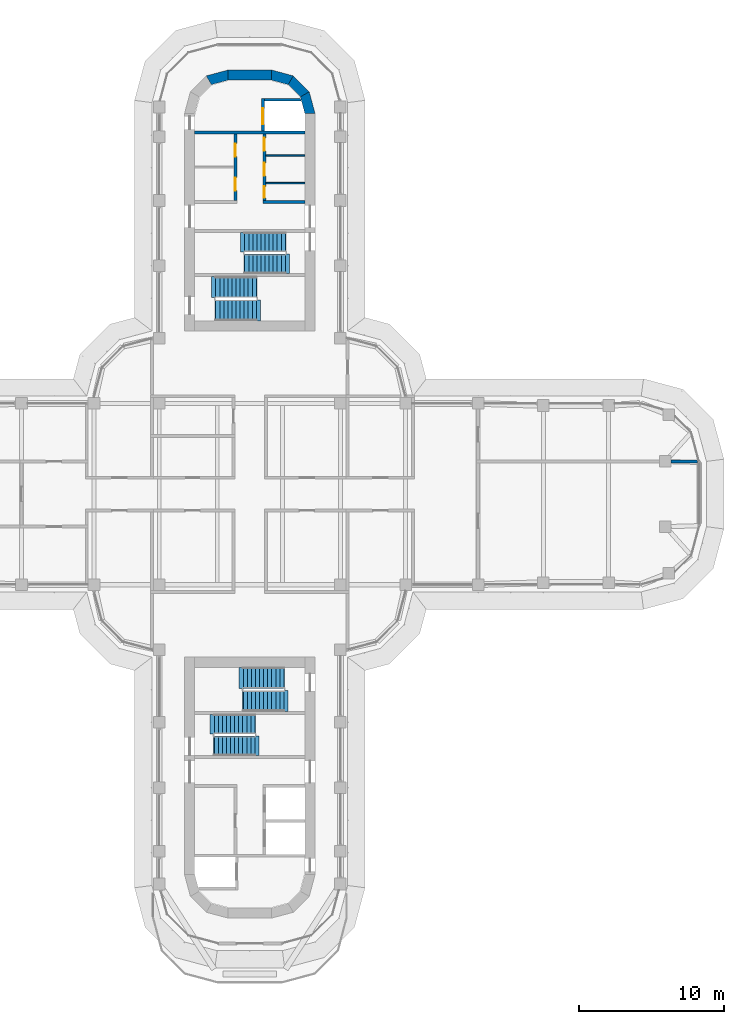
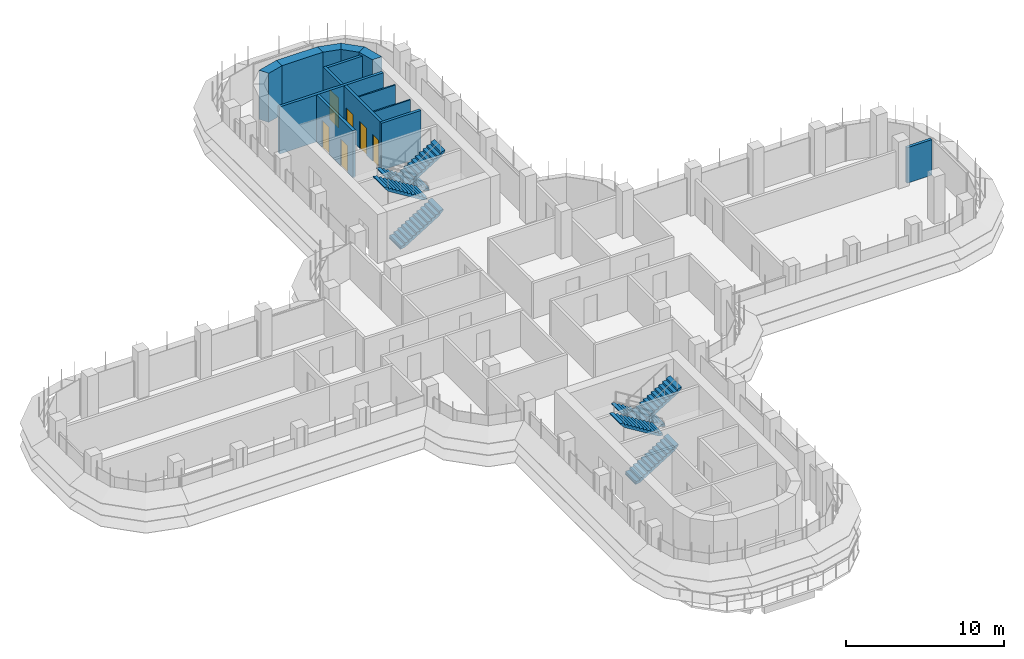
# One storey, part 16 of 20: 14 walls, 8 stair flights, 6 doors, 6 openings, 4 elements without a shape of their own.
"""IFC4 building model written with IfcOpenShell, lengths in metres."""

from ifc_helpers import new_model, si_unit, direction, frame, frame_2d, origin, place, context, subcontext, project, spatial, polyline, rectangle, outline, extrude, material, layer, layer_set, type_object, element, fill, aggregate, save


model = new_model("IFC4")

# Units and contexts
model_context = context("Model", 3, precision=1e-05, world=origin(), true_north=direction((0.0, 1.0)))
body_context = subcontext(model_context, "Body", "Model", "MODEL_VIEW")
ifc_project = project(units=[si_unit("LENGTHUNIT", "METRE"), si_unit("AREAUNIT", "SQUARE_METRE"), si_unit("VOLUMEUNIT", "CUBIC_METRE"), si_unit("PLANEANGLEUNIT", "RADIAN"), si_unit("MASSUNIT", "GRAM", prefix="KILO")], contexts=[model_context])

# Site, building, storey
site_placement = place(None, origin())
site = spatial("IfcSite", under=ifc_project, at=site_placement, CompositionType="ELEMENT")
building_placement = place(site_placement, origin())
building = spatial("IfcBuilding", under=site, at=building_placement, Name="Zarbagh Exchange Tower", CompositionType="ELEMENT")
storey_placement = place(building_placement, frame((0.0, 0.0, 156.199951171875)))
storey = spatial("IfcBuildingStorey", under=building, at=storey_placement, Name="L37", CompositionType="ELEMENT", Elevation=156.199951171875)

# Walls
ifc_material_1 = material(Name="Dense blockwork", Category="masonry")
ifc_layer_1 = layer(ifc_material_1, 0.10009765625)
ifc_layer_set_1 = layer_set([ifc_layer_1], Name="Core partition 100 mm blockwork")
wall_type_1 = type_object("IfcWallType", Name="Core partition 100 mm blockwork", PredefinedType="PARTITIONING", material=ifc_layer_set_1)
for number, where, z_axis, x_axis, name in (
    (1, (1.10009765625, 23.35009765625, 0.0), (0.0, 0.0, 1.0), (1.0, 0.0, 0.0), "North core partition wall CUT-E-500"),
    (2, (1.10009765625, 21.449951171875, 0.0), (0.0, 0.0, 1.0), (1.0, 0.0, 0.0), "North core partition wall CUT-E-690"),
):
    element("IfcWall", number, at=place(storey_placement, frame(where, z_axis=z_axis, x_axis=x_axis)), inside=storey, type_object=wall_type_1, Name=name, PredefinedType="PARTITIONING", context=body_context, shape_type="SweptSolid", body=[
        extrude(rectangle(XDim=2.699951171875, YDim=0.10009765625, at=frame_2d((1.35009765625, 0.0))), origin(), (0.0, 0.0, 1.0), 3.650146484375),
    ])
ifc_material_2 = material(Name="Fire-rated plasterboard partition")
ifc_layer_2 = layer(ifc_material_2, 0.199951171875)
ifc_layer_set_2 = layer_set([ifc_layer_2], Name="RATED PARTITION 200")
wall_type_2 = type_object("IfcWallType", Name="RATED PARTITION 200", PredefinedType="PARTITIONING", material=ifc_layer_set_2)
wall_1_placement = place(storey_placement, frame((29.070068359375, 2.25, 0.0), z_axis=(0.0, 0.0, 1.0), x_axis=(1.0, 0.0, 0.0)))
element("IfcWall", 3, at=wall_1_placement, inside=storey, type_object=wall_type_2, Name="Partition W-1638", PredefinedType="PARTITIONING", context=body_context, shape_type="SweptSolid", body=[
    extrude(rectangle(XDim=1.809814453125, YDim=0.199951171875, at=frame_2d((0.90478515625, 0.0))), origin(), (0.0, 0.0, 1.0), 2.75),
])
ifc_material_3 = material(Name="Concrete C50/60", Category="concrete")
ifc_layer_3 = layer(ifc_material_3, 0.699951171875)
ifc_layer_set_3 = layer_set([ifc_layer_3], Name="RC core corner wall 700 C50/60")
wall_type_3 = type_object("IfcWallType", Name="RC core corner wall 700 C50/60", PredefinedType="SHEAR", material=ifc_layer_set_3)
wall_2_placement = place(storey_placement, origin())
element("IfcWall", 4, at=wall_2_placement, inside=storey, type_object=wall_type_3, Name="CW6 core N corner W", PredefinedType="SHEAR", context=body_context, shape_type="SweptSolid", body=[
    extrude(outline(polyline([(-3.0, 28.84814453125), (-1.5, 29.25), (-1.5, 28.550048828125), (-2.64990234375, 28.241943359375), (-3.0, 28.84814453125)])), origin(), (0.0, 0.0, 1.0), 3.800048828125),
])
wall_3_placement = place(storey_placement, origin())
element("IfcWall", 5, at=wall_3_placement, inside=storey, type_object=wall_type_3, Name="CW6 core N corner E", PredefinedType="SHEAR", context=body_context, shape_type="SweptSolid", body=[
    extrude(outline(polyline([(4.5, 26.25), (4.09814453125, 27.75), (3.491943359375, 27.39990234375), (3.800048828125, 26.25), (4.5, 26.25)])), origin(), (0.0, 0.0, 1.0), 3.800048828125),
])
wall_4_placement = place(storey_placement, origin())
element("IfcWall", 6, at=wall_4_placement, inside=storey, type_object=wall_type_3, Name="CW6 core N corner E", PredefinedType="SHEAR", context=body_context, shape_type="SweptSolid", body=[
    extrude(outline(polyline([(4.09814453125, 27.75), (3.0, 28.84814453125), (2.64990234375, 28.241943359375), (3.491943359375, 27.39990234375), (4.09814453125, 27.75)])), origin(), (0.0, 0.0, 1.0), 3.800048828125),
])
wall_5_placement = place(storey_placement, origin())
element("IfcWall", 7, at=wall_5_placement, inside=storey, type_object=wall_type_3, Name="CW6 core N corner E", PredefinedType="SHEAR", context=body_context, shape_type="SweptSolid", body=[
    extrude(outline(polyline([(3.0, 28.84814453125), (1.5, 29.25), (1.5, 28.550048828125), (2.64990234375, 28.241943359375), (3.0, 28.84814453125)])), origin(), (0.0, 0.0, 1.0), 3.800048828125),
])
ifc_layer_4 = layer(ifc_material_3, 0.699951171875)
ifc_layer_set_4 = layer_set([ifc_layer_4], Name="RC core wall 700 C50/60")
wall_type_4 = type_object("IfcWallType", Name="RC core wall 700 C50/60", PredefinedType="SHEAR", material=ifc_layer_set_4)
wall_6_placement = place(storey_placement, frame((-1.5, 28.89990234375, 0.0), z_axis=(0.0, 0.0, 1.0), x_axis=(1.0, 0.0, 0.0)))
element("IfcWall", 8, at=wall_6_placement, inside=storey, type_object=wall_type_4, Name="CW5 core N outer end", PredefinedType="SHEAR", context=body_context, shape_type="SweptSolid", body=[
    extrude(rectangle(XDim=3.0, YDim=0.699951171875, at=frame_2d((1.5, 0.0))), origin(), (0.0, 0.0, 1.0), 3.800048828125),
])

# Wall, openings, doors
ifc_layer_5 = layer(ifc_material_1, 0.199951171875)
ifc_layer_set_5 = layer_set([ifc_layer_5], Name="Shaft wall 200 mm blockwork")
wall_type_5 = type_object("IfcWallType", Name="Shaft wall 200 mm blockwork", PredefinedType="PARTITIONING", material=ifc_layer_set_5)
wall_7_placement = place(storey_placement, frame((-1.0, 24.85009765625, 0.0), z_axis=(0.0, 0.0, 1.0), x_axis=(0.0, -1.0, 0.0)))
wall_7 = element("IfcWall", 9, at=wall_7_placement, inside=storey, type_object=wall_type_5, Name="North core shaft wall LW-W", PredefinedType="PARTITIONING", context=body_context, shape_type="SweptSolid", body=[
    extrude(rectangle(XDim=4.60009765625, YDim=0.199951171875, at=frame_2d((2.300048828125, 0.0))), origin(), (0.0, 0.0, 1.0), 3.650146484375),
])
opening_1_placement = place(wall_7_placement, frame((0.675048828125, 0.0, 0.0)))
opening_1 = element("IfcOpeningElement", 10, at=opening_1_placement, cuts=wall_7, Name="Opening CD3-900", PredefinedType="OPENING", context=body_context, shape_type="SweptSolid", body=[
    extrude(rectangle(XDim=0.89990234375, YDim=2.10009765625, at=frame_2d((0.449951171875, 1.050048828125))), frame((0.0, 0.10986328125, 0.0), z_axis=(0.0, -1.0, 0.0), x_axis=(1.0, 0.0, 0.0)), (0.0, 0.0, 1.0), 0.219970703125),
])
opening_2_placement = place(wall_7_placement, frame((3.02490234375, 0.0, 0.0)))
opening_2 = element("IfcOpeningElement", 11, at=opening_2_placement, cuts=wall_7, Name="Opening CD3-900", PredefinedType="OPENING", context=body_context, shape_type="SweptSolid", body=[
    extrude(rectangle(XDim=0.89990234375, YDim=2.10009765625, at=frame_2d((0.449951171875, 1.050048828125))), frame((0.0, 0.10986328125, 0.0), z_axis=(0.0, -1.0, 0.0), x_axis=(1.0, 0.0, 0.0)), (0.0, 0.0, 1.0), 0.219970703125),
])
ifc_material_4 = material(Name="Steel", Category="steel")
door_type_1 = type_object("IfcDoorType", Name="Core room door 900 x 2100", OperationType="NOTDEFINED", PredefinedType="DOOR", material=ifc_material_4)
door_1_placement = place(opening_1_placement, origin())
door_1 = element("IfcDoor", 12, at=door_1_placement, inside=storey, type_object=door_type_1, Name="North core Staff WC door RD-W-0", OperationType="SINGLE_SWING_RIGHT", OverallHeight=2.10009765625, OverallWidth=0.89990234375, PredefinedType="DOOR", context=body_context, shape_type="SweptSolid", body=[
    extrude(rectangle(XDim=0.89990234375, YDim=2.10009765625, at=frame_2d((0.449951171875, 1.050048828125))), frame((0.0, 0.02490234375, 0.0), z_axis=(0.0, -1.0, 0.0), x_axis=(1.0, 0.0, 0.0)), (0.0, 0.0, 1.0), 0.050048828125),
])
fill(opening_1, door_1)
door_2_placement = place(opening_2_placement, origin())
door_2 = element("IfcDoor", 13, at=door_2_placement, inside=storey, type_object=door_type_1, Name="North core Accessible WC door RD-W-1", OperationType="SINGLE_SWING_RIGHT", OverallHeight=2.10009765625, OverallWidth=0.89990234375, PredefinedType="DOOR", context=body_context, shape_type="SweptSolid", body=[
    extrude(rectangle(XDim=0.89990234375, YDim=2.10009765625, at=frame_2d((0.449951171875, 1.050048828125))), frame((0.0, 0.02490234375, 0.0), z_axis=(0.0, -1.0, 0.0), x_axis=(1.0, 0.0, 0.0)), (0.0, 0.0, 1.0), 0.050048828125),
])
fill(opening_2, door_2)

# Wall
wall_8_placement = place(storey_placement, frame((0.89990234375, 20.14990234375, 0.0), z_axis=(0.0, 0.0, 1.0), x_axis=(1.0, 0.0, 0.0)))
element("IfcWall", 14, at=wall_8_placement, inside=storey, type_object=wall_type_5, Name="North core shaft wall AB-E", PredefinedType="PARTITIONING", context=body_context, shape_type="SweptSolid", body=[
    extrude(rectangle(XDim=2.900146484375, YDim=0.199951171875, at=frame_2d((1.4501953125, 0.0))), origin(), (0.0, 0.0, 1.0), 3.650146484375),
])

# Wall, openings, doors
wall_9_placement = place(storey_placement, frame((1.0, 24.85009765625, 0.0), z_axis=(0.0, 0.0, 1.0), x_axis=(0.0, -1.0, 0.0)))
wall_9 = element("IfcWall", 15, at=wall_9_placement, inside=storey, type_object=wall_type_5, Name="North core shaft wall LW-E", PredefinedType="PARTITIONING", context=body_context, shape_type="SweptSolid", body=[
    extrude(rectangle(XDim=4.60009765625, YDim=0.199951171875, at=frame_2d((2.300048828125, 0.0))), origin(), (0.0, 0.0, 1.0), 3.650146484375),
])
opening_3_placement = place(wall_9_placement, frame((0.27490234375, 0.0, 0.0)))
opening_3 = element("IfcOpeningElement", 16, at=opening_3_placement, cuts=wall_9, Name="Opening CD3-900", PredefinedType="OPENING", context=body_context, shape_type="SweptSolid", body=[
    extrude(rectangle(XDim=0.89990234375, YDim=2.10009765625, at=frame_2d((0.449951171875, 1.050048828125))), frame((0.0, 0.10986328125, 0.0), z_axis=(0.0, -1.0, 0.0), x_axis=(1.0, 0.0, 0.0)), (0.0, 0.0, 1.0), 0.219970703125),
])
opening_4_placement = place(wall_9_placement, frame((2.0, 0.0, 0.0)))
opening_4 = element("IfcOpeningElement", 17, at=opening_4_placement, cuts=wall_9, Name="Opening CD3-900", PredefinedType="OPENING", context=body_context, shape_type="SweptSolid", body=[
    extrude(rectangle(XDim=0.89990234375, YDim=2.10009765625, at=frame_2d((0.449951171875, 1.050048828125))), frame((0.0, 0.10986328125, 0.0), z_axis=(0.0, -1.0, 0.0), x_axis=(1.0, 0.0, 0.0)), (0.0, 0.0, 1.0), 0.219970703125),
])
opening_5_placement = place(wall_9_placement, frame((3.625, 0.0, 0.0)))
opening_5 = element("IfcOpeningElement", 18, at=opening_5_placement, cuts=wall_9, Name="Opening CD3-800", PredefinedType="OPENING", context=body_context, shape_type="SweptSolid", body=[
    extrude(rectangle(XDim=0.800048828125, YDim=2.10009765625, at=frame_2d((0.39990234375, 1.050048828125))), frame((0.0, 0.10986328125, 0.0), z_axis=(0.0, -1.0, 0.0), x_axis=(1.0, 0.0, 0.0)), (0.0, 0.0, 1.0), 0.219970703125),
])
door_type_2 = type_object("IfcDoorType", Name="Core room door 800 x 2100", OperationType="NOTDEFINED", PredefinedType="DOOR", material=ifc_material_4)
door_3_placement = place(opening_5_placement, origin())
door_3 = element("IfcDoor", 19, at=door_3_placement, inside=storey, type_object=door_type_2, Name="North core IT room door RD-E-2", OperationType="SINGLE_SWING_LEFT", OverallHeight=2.10009765625, OverallWidth=0.800048828125, PredefinedType="DOOR", context=body_context, shape_type="SweptSolid", body=[
    extrude(rectangle(XDim=0.800048828125, YDim=2.10009765625, at=frame_2d((0.39990234375, 1.050048828125))), frame((0.0, 0.02490234375, 0.0), z_axis=(0.0, -1.0, 0.0), x_axis=(1.0, 0.0, 0.0)), (0.0, 0.0, 1.0), 0.050048828125),
])
fill(opening_5, door_3)
door_4_placement = place(opening_3_placement, origin())
door_4 = element("IfcDoor", 20, at=door_4_placement, inside=storey, type_object=door_type_1, Name="North core Cleaner's store door RD-E-0", OperationType="SINGLE_SWING_RIGHT", OverallHeight=2.10009765625, OverallWidth=0.89990234375, PredefinedType="DOOR", context=body_context, shape_type="SweptSolid", body=[
    extrude(rectangle(XDim=0.89990234375, YDim=2.10009765625, at=frame_2d((0.449951171875, 1.050048828125))), frame((0.0, 0.02490234375, 0.0), z_axis=(0.0, -1.0, 0.0), x_axis=(1.0, 0.0, 0.0)), (0.0, 0.0, 1.0), 0.050048828125),
])
fill(opening_3, door_4)
door_5_placement = place(opening_4_placement, origin())
door_5 = element("IfcDoor", 21, at=door_5_placement, inside=storey, type_object=door_type_1, Name="North core Pantry door RD-E-1", OperationType="SINGLE_SWING_RIGHT", OverallHeight=2.10009765625, OverallWidth=0.89990234375, PredefinedType="DOOR", context=body_context, shape_type="SweptSolid", body=[
    extrude(rectangle(XDim=0.89990234375, YDim=2.10009765625, at=frame_2d((0.449951171875, 1.050048828125))), frame((0.0, 0.02490234375, 0.0), z_axis=(0.0, -1.0, 0.0), x_axis=(1.0, 0.0, 0.0)), (0.0, 0.0, 1.0), 0.050048828125),
])
fill(opening_4, door_5)

# Wall
ifc_material_5 = material(Name="Concrete C40/50", Category="concrete")
ifc_layer_6 = layer(ifc_material_5, 0.199951171875)
ifc_layer_set_6 = layer_set([ifc_layer_6], Name="Stair enclosure wall 200 mm RC C40/50")
wall_type_6 = type_object("IfcWallType", Name="Stair enclosure wall 200 mm RC C40/50", PredefinedType="SHEAR", material=ifc_layer_set_6)
wall_10_placement = place(storey_placement, frame((-3.800048828125, 24.949951171875, 0.0), z_axis=(0.0, 0.0, 1.0), x_axis=(1.0, 0.0, 0.0)))
element("IfcWall", 22, at=wall_10_placement, inside=storey, type_object=wall_type_6, Name="North core lift shaft wall FFA", PredefinedType="SHEAR", context=body_context, shape_type="SweptSolid", body=[
    extrude(rectangle(XDim=7.60009765625, YDim=0.199951171875, at=frame_2d((3.800048828125, 0.0))), origin(), (0.0, 0.0, 1.0), 3.650146484375),
])

# Wall, opening, door
wall_11_placement = place(storey_placement, frame((0.89990234375, 27.300048828125, 0.0), z_axis=(0.0, 0.0, 1.0), x_axis=(0.0, -1.0, 0.0)))
wall_11 = element("IfcWall", 23, at=wall_11_placement, inside=storey, type_object=wall_type_6, Name="North core lift shaft wall FFL", PredefinedType="SHEAR", context=body_context, shape_type="SweptSolid", body=[
    extrude(rectangle(XDim=2.25, YDim=0.199951171875, at=frame_2d((1.125, 0.0))), origin(), (0.0, 0.0, 1.0), 3.650146484375),
])
opening_6_placement = place(wall_11_placement, frame((0.699951171875, 0.0, 0.0)))
opening_6 = element("IfcOpeningElement", 24, at=opening_6_placement, cuts=wall_11, Name="Opening LD-1100", PredefinedType="OPENING", context=body_context, shape_type="SweptSolid", body=[
    extrude(rectangle(XDim=1.10009765625, YDim=2.300048828125, at=frame_2d((0.550048828125, 1.14990234375))), frame((0.0, 0.10986328125, 0.0), z_axis=(0.0, -1.0, 0.0), x_axis=(1.0, 0.0, 0.0)), (0.0, 0.0, 1.0), 0.219970703125),
])
ifc_material_6 = material(Name="Stainless steel", Category="steel")
door_type_3 = type_object("IfcDoorType", Name="Lift landing door 1100 x 2300", OperationType="NOTDEFINED", PredefinedType="DOOR", material=ifc_material_6)
door_6_placement = place(opening_6_placement, origin())
door_6 = element("IfcDoor", 25, at=door_6_placement, inside=storey, type_object=door_type_3, Name="North core lift landing door LD-F", OperationType="DOUBLE_DOOR_SLIDING", OverallHeight=2.300048828125, OverallWidth=1.10009765625, PredefinedType="DOOR", context=body_context, shape_type="SweptSolid", body=[
    extrude(rectangle(XDim=1.10009765625, YDim=2.300048828125, at=frame_2d((0.550048828125, 1.14990234375))), frame((0.0, 0.02490234375, 0.0), z_axis=(0.0, -1.0, 0.0), x_axis=(1.0, 0.0, 0.0)), (0.0, 0.0, 1.0), 0.050048828125),
])
fill(opening_6, door_6)

# Wall
wall_12_placement = place(storey_placement, origin())
element("IfcWall", 26, at=wall_12_placement, inside=storey, type_object=wall_type_6, Name="North core lift shaft wall FFX", PredefinedType="SHEAR", context=body_context, shape_type="SweptSolid", body=[
    extrude(outline(polyline([(1.0, 27.10009765625), (3.547607421875, 27.10009765625), (3.493896484375, 27.300048828125), (1.0, 27.300048828125), (1.0, 27.10009765625)])), origin(), (0.0, 0.0, 1.0), 3.650146484375),
])

# Stair, stair flights
stair_type = type_object("IfcStairType", Name="Exit stair two-flight half-turn", PredefinedType="HALF_TURN_STAIR", material=ifc_material_5)
stair_1_placement = place(storey_placement, origin())
stair_1 = element("IfcStair", 27, at=stair_1_placement, inside=storey, type_object=stair_type, Name="exit stair ST1", PredefinedType="HALF_TURN_STAIR")
stair_flight_type_1 = type_object("IfcStairFlightType", Name="Stair flight 1350 mm", PredefinedType="STRAIGHT", material=ifc_material_5)
stair_flight_1_placement = place(storey_placement, frame((2.449951171875, 17.375, 0.0), z_axis=(0.0, 0.0, 1.0), x_axis=(-1.0, 0.0, 0.0)))
stair_flight_1 = element("IfcStairFlight", 28, at=stair_flight_1_placement, type_object=stair_flight_type_1, Name="ST1 flight 1", NumberOfRisers=11, NumberOfTreads=10, PredefinedType="STRAIGHT", RiserHeight=0.172727273, TreadLength=0.28, context=body_context, shape_type="SweptSolid", body=[
    extrude(outline(polyline([(-0.050048828125, -0.050048828125), (-0.050048828125, 0.0), (0.0, 0.0), (0.0, 0.172607421875), (0.280029296875, 0.172607421875), (0.280029296875, 0.345458984375), (0.56005859375, 0.345458984375), (0.56005859375, 0.51806640625), (0.840087890625, 0.51806640625), (0.840087890625, 0.69091796875), (1.1201171875, 0.69091796875), (1.1201171875, 0.863525390625), (1.39990234375, 0.863525390625), (1.39990234375, 1.036376953125), (1.679931640625, 1.036376953125), (1.679931640625, 1.208984375), (1.9599609375, 1.208984375), (1.9599609375, 1.3818359375), (2.239990234375, 1.3818359375), (2.239990234375, 1.554443359375), (2.52001953125, 1.554443359375), (2.52001953125, 1.727294921875), (2.800048828125, 1.727294921875), (2.800048828125, 1.89990234375), (3.10009765625, 1.97998046875), (3.10009765625, 1.89990234375), (2.800048828125, 1.551025390625), (0.285400390625, 0.0), (-0.050048828125, -0.050048828125)])), frame((0.0, 0.675048828125, 0.0), z_axis=(0.0, -1.0, 0.0), x_axis=(1.0, 0.0, 0.0)), (0.0, 0.0, 1.0), 1.35009765625),
])
stair_flight_2_placement = place(storey_placement, frame((-0.35009765625, 15.875, 1.900146484375), z_axis=(0.0, 0.0, 1.0), x_axis=(1.0, 0.0, 0.0)))
stair_flight_2 = element("IfcStairFlight", 29, at=stair_flight_2_placement, type_object=stair_flight_type_1, Name="ST1 flight 2", NumberOfRisers=11, NumberOfTreads=10, PredefinedType="STRAIGHT", RiserHeight=0.172727273, TreadLength=0.28, context=body_context, shape_type="SweptSolid", body=[
    extrude(outline(polyline([(-0.050048828125, -0.050048828125), (-0.050048828125, 0.0), (0.0, 0.0), (0.0, 0.172607421875), (0.280029296875, 0.172607421875), (0.280029296875, 0.345458984375), (0.56005859375, 0.345458984375), (0.56005859375, 0.51806640625), (0.840087890625, 0.51806640625), (0.840087890625, 0.69091796875), (1.1201171875, 0.69091796875), (1.1201171875, 0.863525390625), (1.39990234375, 0.863525390625), (1.39990234375, 1.036376953125), (1.679931640625, 1.036376953125), (1.679931640625, 1.208984375), (1.9599609375, 1.208984375), (1.9599609375, 1.3818359375), (2.239990234375, 1.3818359375), (2.239990234375, 1.554443359375), (2.52001953125, 1.554443359375), (2.52001953125, 1.727294921875), (2.800048828125, 1.727294921875), (2.800048828125, 1.89990234375), (3.10009765625, 1.97998046875), (3.10009765625, 1.89990234375), (2.800048828125, 1.551025390625), (0.285400390625, 0.0), (-0.050048828125, -0.050048828125)])), frame((0.0, 0.675048828125, 0.0), z_axis=(0.0, -1.0, 0.0), x_axis=(1.0, 0.0, 0.0)), (0.0, 0.0, 1.0), 1.35009765625),
])
aggregate(stair_1, [stair_flight_1, stair_flight_2])

stair_2_placement = place(storey_placement, origin())
stair_2 = element("IfcStair", 30, at=stair_2_placement, inside=storey, type_object=stair_type, Name="exit stair ST3", PredefinedType="HALF_TURN_STAIR")
stair_flight_3_placement = place(storey_placement, frame((-2.449951171875, -17.375, 0.0), z_axis=(0.0, 0.0, 1.0), x_axis=(1.0, 0.0, 0.0)))
stair_flight_3 = element("IfcStairFlight", 31, at=stair_flight_3_placement, type_object=stair_flight_type_1, Name="ST3 flight 1", NumberOfRisers=11, NumberOfTreads=10, PredefinedType="STRAIGHT", RiserHeight=0.172727273, TreadLength=0.28, context=body_context, shape_type="SweptSolid", body=[
    extrude(outline(polyline([(-0.050048828125, -0.050048828125), (-0.050048828125, 0.0), (0.0, 0.0), (0.0, 0.172607421875), (0.280029296875, 0.172607421875), (0.280029296875, 0.345458984375), (0.56005859375, 0.345458984375), (0.56005859375, 0.51806640625), (0.840087890625, 0.51806640625), (0.840087890625, 0.69091796875), (1.1201171875, 0.69091796875), (1.1201171875, 0.863525390625), (1.39990234375, 0.863525390625), (1.39990234375, 1.036376953125), (1.679931640625, 1.036376953125), (1.679931640625, 1.208984375), (1.9599609375, 1.208984375), (1.9599609375, 1.3818359375), (2.239990234375, 1.3818359375), (2.239990234375, 1.554443359375), (2.52001953125, 1.554443359375), (2.52001953125, 1.727294921875), (2.800048828125, 1.727294921875), (2.800048828125, 1.89990234375), (3.10009765625, 1.97998046875), (3.10009765625, 1.89990234375), (2.800048828125, 1.551025390625), (0.285400390625, 0.0), (-0.050048828125, -0.050048828125)])), frame((0.0, 0.675048828125, 0.0), z_axis=(0.0, -1.0, 0.0), x_axis=(1.0, 0.0, 0.0)), (0.0, 0.0, 1.0), 1.35009765625),
])
stair_flight_4_placement = place(storey_placement, frame((0.35009765625, -15.875, 1.900146484375), z_axis=(0.0, 0.0, 1.0), x_axis=(-1.0, 0.0, 0.0)))
stair_flight_4 = element("IfcStairFlight", 32, at=stair_flight_4_placement, type_object=stair_flight_type_1, Name="ST3 flight 2", NumberOfRisers=11, NumberOfTreads=10, PredefinedType="STRAIGHT", RiserHeight=0.172727273, TreadLength=0.28, context=body_context, shape_type="SweptSolid", body=[
    extrude(outline(polyline([(-0.050048828125, -0.050048828125), (-0.050048828125, 0.0), (0.0, 0.0), (0.0, 0.172607421875), (0.280029296875, 0.172607421875), (0.280029296875, 0.345458984375), (0.56005859375, 0.345458984375), (0.56005859375, 0.51806640625), (0.840087890625, 0.51806640625), (0.840087890625, 0.69091796875), (1.1201171875, 0.69091796875), (1.1201171875, 0.863525390625), (1.39990234375, 0.863525390625), (1.39990234375, 1.036376953125), (1.679931640625, 1.036376953125), (1.679931640625, 1.208984375), (1.9599609375, 1.208984375), (1.9599609375, 1.3818359375), (2.239990234375, 1.3818359375), (2.239990234375, 1.554443359375), (2.52001953125, 1.554443359375), (2.52001953125, 1.727294921875), (2.800048828125, 1.727294921875), (2.800048828125, 1.89990234375), (3.10009765625, 1.97998046875), (3.10009765625, 1.89990234375), (2.800048828125, 1.551025390625), (0.285400390625, 0.0), (-0.050048828125, -0.050048828125)])), frame((0.0, 0.675048828125, 0.0), z_axis=(0.0, -1.0, 0.0), x_axis=(1.0, 0.0, 0.0)), (0.0, 0.0, 1.0), 1.35009765625),
])
aggregate(stair_2, [stair_flight_3, stair_flight_4])

stair_3_placement = place(storey_placement, origin())
stair_3 = element("IfcStair", 33, at=stair_3_placement, inside=storey, type_object=stair_type, Name="exit stair ST2", PredefinedType="HALF_TURN_STAIR")
stair_flight_type_2 = type_object("IfcStairFlightType", Name="Stair flight 1450 mm", PredefinedType="STRAIGHT", material=ifc_material_5)
stair_flight_5_placement = place(storey_placement, frame((-2.35009765625, 12.675048828125, 0.0), z_axis=(0.0, 0.0, 1.0), x_axis=(1.0, 0.0, 0.0)))
stair_flight_5 = element("IfcStairFlight", 34, at=stair_flight_5_placement, type_object=stair_flight_type_2, Name="ST2 flight 1", NumberOfRisers=11, NumberOfTreads=10, PredefinedType="STRAIGHT", RiserHeight=0.172727273, TreadLength=0.28, context=body_context, shape_type="SweptSolid", body=[
    extrude(outline(polyline([(-0.050048828125, -0.050048828125), (-0.050048828125, 0.0), (0.0, 0.0), (0.0, 0.172607421875), (0.280029296875, 0.172607421875), (0.280029296875, 0.345458984375), (0.56005859375, 0.345458984375), (0.56005859375, 0.51806640625), (0.840087890625, 0.51806640625), (0.840087890625, 0.69091796875), (1.1201171875, 0.69091796875), (1.1201171875, 0.863525390625), (1.39990234375, 0.863525390625), (1.39990234375, 1.036376953125), (1.679931640625, 1.036376953125), (1.679931640625, 1.208984375), (1.9599609375, 1.208984375), (1.9599609375, 1.3818359375), (2.239990234375, 1.3818359375), (2.239990234375, 1.554443359375), (2.52001953125, 1.554443359375), (2.52001953125, 1.727294921875), (2.800048828125, 1.727294921875), (2.800048828125, 1.89990234375), (3.10009765625, 1.97998046875), (3.10009765625, 1.89990234375), (2.800048828125, 1.551025390625), (0.285400390625, 0.0), (-0.050048828125, -0.050048828125)])), frame((0.0, 0.72509765625, 0.0), z_axis=(0.0, -1.0, 0.0), x_axis=(1.0, 0.0, 0.0)), (0.0, 0.0, 1.0), 1.449951171875),
])
stair_flight_6_placement = place(storey_placement, frame((0.449951171875, 14.27490234375, 1.900146484375), z_axis=(0.0, 0.0, 1.0), x_axis=(-1.0, 0.0, 0.0)))
stair_flight_6 = element("IfcStairFlight", 35, at=stair_flight_6_placement, type_object=stair_flight_type_2, Name="ST2 flight 2", NumberOfRisers=11, NumberOfTreads=10, PredefinedType="STRAIGHT", RiserHeight=0.172727273, TreadLength=0.28, context=body_context, shape_type="SweptSolid", body=[
    extrude(outline(polyline([(-0.050048828125, -0.050048828125), (-0.050048828125, 0.0), (0.0, 0.0), (0.0, 0.172607421875), (0.280029296875, 0.172607421875), (0.280029296875, 0.345458984375), (0.56005859375, 0.345458984375), (0.56005859375, 0.51806640625), (0.840087890625, 0.51806640625), (0.840087890625, 0.69091796875), (1.1201171875, 0.69091796875), (1.1201171875, 0.863525390625), (1.39990234375, 0.863525390625), (1.39990234375, 1.036376953125), (1.679931640625, 1.036376953125), (1.679931640625, 1.208984375), (1.9599609375, 1.208984375), (1.9599609375, 1.3818359375), (2.239990234375, 1.3818359375), (2.239990234375, 1.554443359375), (2.52001953125, 1.554443359375), (2.52001953125, 1.727294921875), (2.800048828125, 1.727294921875), (2.800048828125, 1.89990234375), (3.10009765625, 1.97998046875), (3.10009765625, 1.89990234375), (2.800048828125, 1.551025390625), (0.285400390625, 0.0), (-0.050048828125, -0.050048828125)])), frame((0.0, 0.72509765625, 0.0), z_axis=(0.0, -1.0, 0.0), x_axis=(1.0, 0.0, 0.0)), (0.0, 0.0, 1.0), 1.449951171875),
])
aggregate(stair_3, [stair_flight_5, stair_flight_6])

stair_4_placement = place(storey_placement, origin())
stair_4 = element("IfcStair", 36, at=stair_4_placement, inside=storey, type_object=stair_type, Name="exit stair ST4", PredefinedType="HALF_TURN_STAIR")
stair_flight_7_placement = place(storey_placement, frame((2.35009765625, -12.675048828125, 0.0), z_axis=(0.0, 0.0, 1.0), x_axis=(-1.0, 0.0, 0.0)))
stair_flight_7 = element("IfcStairFlight", 37, at=stair_flight_7_placement, type_object=stair_flight_type_2, Name="ST4 flight 1", NumberOfRisers=11, NumberOfTreads=10, PredefinedType="STRAIGHT", RiserHeight=0.172727273, TreadLength=0.28, context=body_context, shape_type="SweptSolid", body=[
    extrude(outline(polyline([(-0.050048828125, -0.050048828125), (-0.050048828125, 0.0), (0.0, 0.0), (0.0, 0.172607421875), (0.280029296875, 0.172607421875), (0.280029296875, 0.345458984375), (0.56005859375, 0.345458984375), (0.56005859375, 0.51806640625), (0.840087890625, 0.51806640625), (0.840087890625, 0.69091796875), (1.1201171875, 0.69091796875), (1.1201171875, 0.863525390625), (1.39990234375, 0.863525390625), (1.39990234375, 1.036376953125), (1.679931640625, 1.036376953125), (1.679931640625, 1.208984375), (1.9599609375, 1.208984375), (1.9599609375, 1.3818359375), (2.239990234375, 1.3818359375), (2.239990234375, 1.554443359375), (2.52001953125, 1.554443359375), (2.52001953125, 1.727294921875), (2.800048828125, 1.727294921875), (2.800048828125, 1.89990234375), (3.10009765625, 1.97998046875), (3.10009765625, 1.89990234375), (2.800048828125, 1.551025390625), (0.285400390625, 0.0), (-0.050048828125, -0.050048828125)])), frame((0.0, 0.72509765625, 0.0), z_axis=(0.0, -1.0, 0.0), x_axis=(1.0, 0.0, 0.0)), (0.0, 0.0, 1.0), 1.449951171875),
])
stair_flight_8_placement = place(storey_placement, frame((-0.449951171875, -14.27490234375, 1.900146484375), z_axis=(0.0, 0.0, 1.0), x_axis=(1.0, 0.0, 0.0)))
stair_flight_8 = element("IfcStairFlight", 38, at=stair_flight_8_placement, type_object=stair_flight_type_2, Name="ST4 flight 2", NumberOfRisers=11, NumberOfTreads=10, PredefinedType="STRAIGHT", RiserHeight=0.172727273, TreadLength=0.28, context=body_context, shape_type="SweptSolid", body=[
    extrude(outline(polyline([(-0.050048828125, -0.050048828125), (-0.050048828125, 0.0), (0.0, 0.0), (0.0, 0.172607421875), (0.280029296875, 0.172607421875), (0.280029296875, 0.345458984375), (0.56005859375, 0.345458984375), (0.56005859375, 0.51806640625), (0.840087890625, 0.51806640625), (0.840087890625, 0.69091796875), (1.1201171875, 0.69091796875), (1.1201171875, 0.863525390625), (1.39990234375, 0.863525390625), (1.39990234375, 1.036376953125), (1.679931640625, 1.036376953125), (1.679931640625, 1.208984375), (1.9599609375, 1.208984375), (1.9599609375, 1.3818359375), (2.239990234375, 1.3818359375), (2.239990234375, 1.554443359375), (2.52001953125, 1.554443359375), (2.52001953125, 1.727294921875), (2.800048828125, 1.727294921875), (2.800048828125, 1.89990234375), (3.10009765625, 1.97998046875), (3.10009765625, 1.89990234375), (2.800048828125, 1.551025390625), (0.285400390625, 0.0), (-0.050048828125, -0.050048828125)])), frame((0.0, 0.72509765625, 0.0), z_axis=(0.0, -1.0, 0.0), x_axis=(1.0, 0.0, 0.0)), (0.0, 0.0, 1.0), 1.449951171875),
])
aggregate(stair_4, [stair_flight_7, stair_flight_8])

save(model, "model.ifc")
